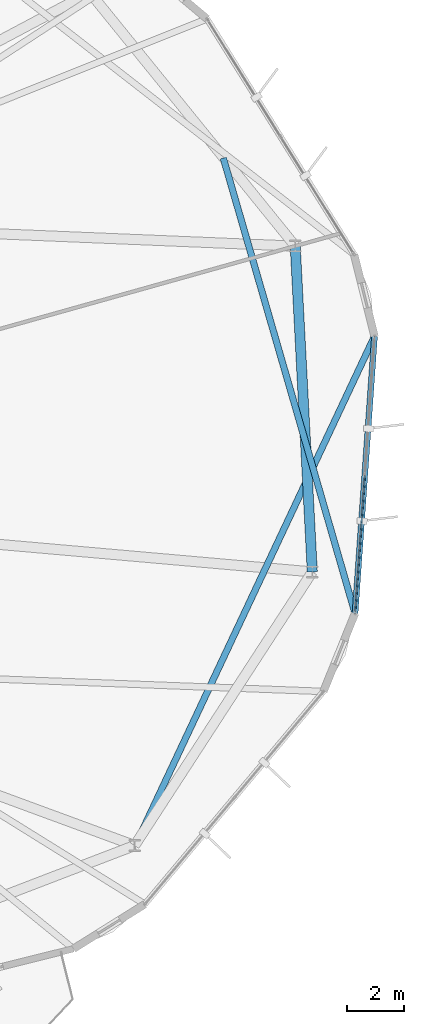
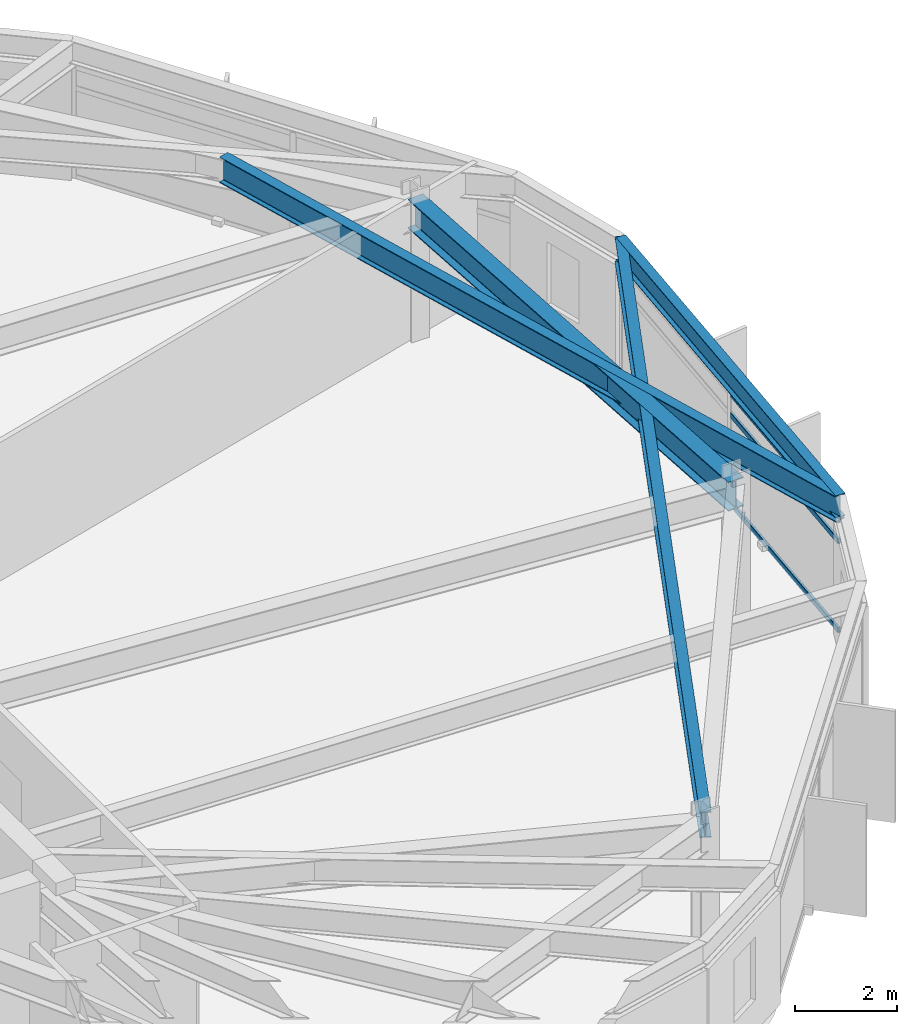
# One storey, part 9 of 23: 4 beams, 3 members, 1 element without a shape of its own.
"""IFC4 building model written with IfcOpenShell, lengths in metres."""

from ifc_helpers import new_model, si_unit, direction, frame, origin, origin_2d, place, context, subcontext, project, spatial, hollow_rectangle, i_section, extrude, material, layer, layer_set, material_profile, profile_set, type_object, element, aggregate, save


model = new_model("IFC4")

# Units and contexts
model_context = context("Model", 3, precision=1e-05, world=origin(), true_north=direction((0.0, 1.0)))
body_context = subcontext(model_context, "Body", "Model", "MODEL_VIEW")
ifc_project = project(units=[si_unit("LENGTHUNIT", "METRE"), si_unit("AREAUNIT", "SQUARE_METRE"), si_unit("VOLUMEUNIT", "CUBIC_METRE"), si_unit("PLANEANGLEUNIT", "RADIAN"), si_unit("MASSUNIT", "GRAM", prefix="KILO")], contexts=[model_context])

# Site, building, storey
site_placement = place(None, origin())
site = spatial("IfcSite", under=ifc_project, at=site_placement, CompositionType="ELEMENT")
building_placement = place(site_placement, origin())
building = spatial("IfcBuilding", under=site, at=building_placement, Name="Soratama Intermodal Tower", CompositionType="ELEMENT")
storey_placement = place(building_placement, frame((0.0, 0.0, 215.800048828125)))
storey = spatial("IfcBuildingStorey", under=building, at=storey_placement, Name="L54", CompositionType="ELEMENT", Elevation=215.800048828125)

# Beams
ifc_material_1 = material(Name="Structural steel ASTM A992 Grade 50", Category="steel")
ifc_material_profile_1 = material_profile(ifc_material_1, i_section(OverallWidth=0.35498046875, OverallDepth=0.695068359375, WebThickness=0.015380859375, FlangeThickness=0.02490234375, FilletRadius=0.01611328125, at=origin_2d()), Name="W27X146")
ifc_profile_set_1 = profile_set([ifc_material_profile_1], Name="Structural steel ASTM A992 Grade 50")
beam_type_1 = type_object("IfcBeamType", Name="BM-RING-W27X146", PredefinedType="BEAM", material=ifc_profile_set_1)
beam_1_placement = place(storey_placement, frame((62.966064453125, 20.18603515625, 2.952392578125), z_axis=(-0.052286849724, 0.998632107108, 0.0), x_axis=(-0.998632107108, -0.052286849724, 0.0)))
element("IfcBeam", 1, at=beam_1_placement, inside=storey, type_object=beam_type_1, Name="BM-L54-RING-10", PredefinedType="BEAM", context=body_context, shape_type="SweptSolid", body=[
    extrude(i_section(OverallWidth=0.35498046875, OverallDepth=0.695068359375, WebThickness=0.015380859375, FlangeThickness=0.02490234375, FilletRadius=0.01611328125, at=origin_2d()), origin(), (0.0, 0.0, 1.0), 11.49560546875),
])
ifc_material_2 = material(Name="Structural steel ASTM A992 Grade 50", Category="steel")
ifc_material_profile_2 = material_profile(ifc_material_2, i_section(OverallWidth=0.2099609375, OverallDepth=0.537109375, WebThickness=0.010986328125, FlangeThickness=0.017333984375, FilletRadius=0.012939453125, at=origin_2d()), Name="W21X68")
ifc_profile_set_2 = profile_set([ifc_material_profile_2], Name="Structural steel ASTM A992 Grade 50")
beam_type_2 = type_object("IfcBeamType", Name="BM-SPN-W21X68", PredefinedType="SPANDREL", material=ifc_profile_set_2)
beam_2_placement = place(storey_placement, frame((64.47412109375, 18.72412109375, 3.031494140625), z_axis=(0.070043766258, 0.997543919238, 0.0), x_axis=(-0.997543919238, 0.070043766258, 0.0)))
element("IfcBeam", 2, at=beam_2_placement, inside=storey, type_object=beam_type_2, Name="BS-L54-F09", PredefinedType="SPANDREL", context=body_context, shape_type="SweptSolid", body=[
    extrude(i_section(OverallWidth=0.2099609375, OverallDepth=0.537109375, WebThickness=0.010986328125, FlangeThickness=0.017333984375, FilletRadius=0.012939453125, at=origin_2d()), origin(), (0.0, 0.0, 1.0), 9.790771484375),
])
ifc_material_3 = material(Name="Structural steel ASTM A992 Grade 50", Category="steel")
ifc_material_profile_3 = material_profile(ifc_material_3, i_section(OverallWidth=0.22900390625, OverallDepth=0.612060546875, WebThickness=0.011962890625, FlangeThickness=0.01953125, FilletRadius=0.012939453125, at=origin_2d()), Name="W24X84")
ifc_profile_set_3 = profile_set([ifc_material_profile_3], Name="Structural steel ASTM A992 Grade 50")
beam_type_3 = type_object("IfcBeamType", Name="BM-TIE-W24X84", PredefinedType="BEAM", material=ifc_profile_set_3)
beam_3_placement = place(storey_placement, frame((59.8310546875, 34.76904296875, 2.993896484375), z_axis=(0.277974318489, -0.960588506209, 0.0), x_axis=(0.960588506209, 0.277974318489, 0.0)))
element("IfcBeam", 3, at=beam_3_placement, inside=storey, type_object=beam_type_3, Name="BM-L54-TIE0-09", PredefinedType="BEAM", context=body_context, shape_type="SweptSolid", body=[
    extrude(i_section(OverallWidth=0.22900390625, OverallDepth=0.612060546875, WebThickness=0.011962890625, FlangeThickness=0.01953125, FilletRadius=0.012939453125, at=origin_2d()), origin(), (0.0, 0.0, 1.0), 16.703125),
])
beam_4_placement = place(storey_placement, frame((56.7919921875, 10.68798828125, 2.993896484375), z_axis=(0.425382791897, 0.905013524958, 0.0), x_axis=(-0.905013524958, 0.425382791897, 0.0)))
element("IfcBeam", 4, at=beam_4_placement, inside=storey, type_object=beam_type_3, Name="BM-L54-TIE1-09", PredefinedType="BEAM", context=body_context, shape_type="SweptSolid", body=[
    extrude(i_section(OverallWidth=0.22900390625, OverallDepth=0.612060546875, WebThickness=0.011962890625, FlangeThickness=0.01953125, FilletRadius=0.012939453125, at=origin_2d()), origin(), (0.0, 0.0, 1.0), 19.67138671875),
])

# Curtain wall, members
ifc_material_4 = material(Name="Double-glazed aluminium curtain wall", Category="aluminium")
ifc_layer = layer(ifc_material_4, 0.159912109375)
ifc_layer_set = layer_set([ifc_layer], Name="Double-glazed aluminium curtain wall")
curtain_wall_type = type_object("IfcCurtainWallType", Name="CW-SYS-5", PredefinedType="NOTDEFINED", material=ifc_layer_set)
curtain_wall_placement = place(storey_placement, origin())
curtain_wall = element("IfcCurtainWall", 5, at=curtain_wall_placement, inside=storey, type_object=curtain_wall_type, Name="L54 Faceted Curtain Wall F09", PredefinedType="NOTDEFINED")
ifc_material_5 = material(Name="Anodised aluminium AA 6063-T6", Category="aluminium")
ifc_material_profile_4 = material_profile(ifc_material_5, hollow_rectangle(XDim=0.06005859375, YDim=0.1298828125, WallThickness=0.0048828125, InnerFilletRadius=0.0048828125, OuterFilletRadius=0.010009765625, at=origin_2d()), Name="CWT130X60X5")
ifc_profile_set_4 = profile_set([ifc_material_profile_4], Name="Anodised aluminium AA 6063-T6")
member_type = type_object("IfcMemberType", Name="TT-CWT-2", PredefinedType="USERDEFINED", material=ifc_profile_set_4)
member_1_placement = place(storey_placement, frame((64.47802734375, 18.783935546875, 0.030029296875), z_axis=(0.070113266311, 0.997539036774, 0.0), x_axis=(-0.997539036774, 0.070113266311, 0.0)))
member_1 = element("IfcMember", 6, at=member_1_placement, type_object=member_type, Name="CW-5 transom 1.1", ObjectType="TRANSOM", PredefinedType="USERDEFINED", context=body_context, shape_type="SweptSolid", body=[
    extrude(hollow_rectangle(XDim=0.06005859375, YDim=0.1298828125, WallThickness=0.0048828125, InnerFilletRadius=0.0048828125, OuterFilletRadius=0.010009765625, at=origin_2d()), origin(), (0.0, 0.0, 1.0), 4.80517578125),
])
member_2_placement = place(storey_placement, frame((64.47802734375, 18.783935546875, 2.14990234375), z_axis=(0.070113266311, 0.997539036774, 0.0), x_axis=(-0.997539036774, 0.070113266311, 0.0)))
member_2 = element("IfcMember", 7, at=member_2_placement, type_object=member_type, Name="CW-5 transom 1.2", ObjectType="TRANSOM", PredefinedType="USERDEFINED", context=body_context, shape_type="SweptSolid", body=[
    extrude(hollow_rectangle(XDim=0.06005859375, YDim=0.1298828125, WallThickness=0.0048828125, InnerFilletRadius=0.0048828125, OuterFilletRadius=0.010009765625, at=origin_2d()), origin(), (0.0, 0.0, 1.0), 4.80517578125),
])
member_3_placement = place(storey_placement, frame((64.47802734375, 18.783935546875, 2.64892578125), z_axis=(0.070113266311, 0.997539036774, 0.0), x_axis=(-0.997539036774, 0.070113266311, 0.0)))
member_3 = element("IfcMember", 8, at=member_3_placement, type_object=member_type, Name="CW-5 transom 1.3", ObjectType="TRANSOM", PredefinedType="USERDEFINED", context=body_context, shape_type="SweptSolid", body=[
    extrude(hollow_rectangle(XDim=0.06005859375, YDim=0.1298828125, WallThickness=0.0048828125, InnerFilletRadius=0.0048828125, OuterFilletRadius=0.010009765625, at=origin_2d()), origin(), (0.0, 0.0, 1.0), 4.80517578125),
])
aggregate(curtain_wall, [member_1, member_2, member_3])

save(model, "model.ifc")
